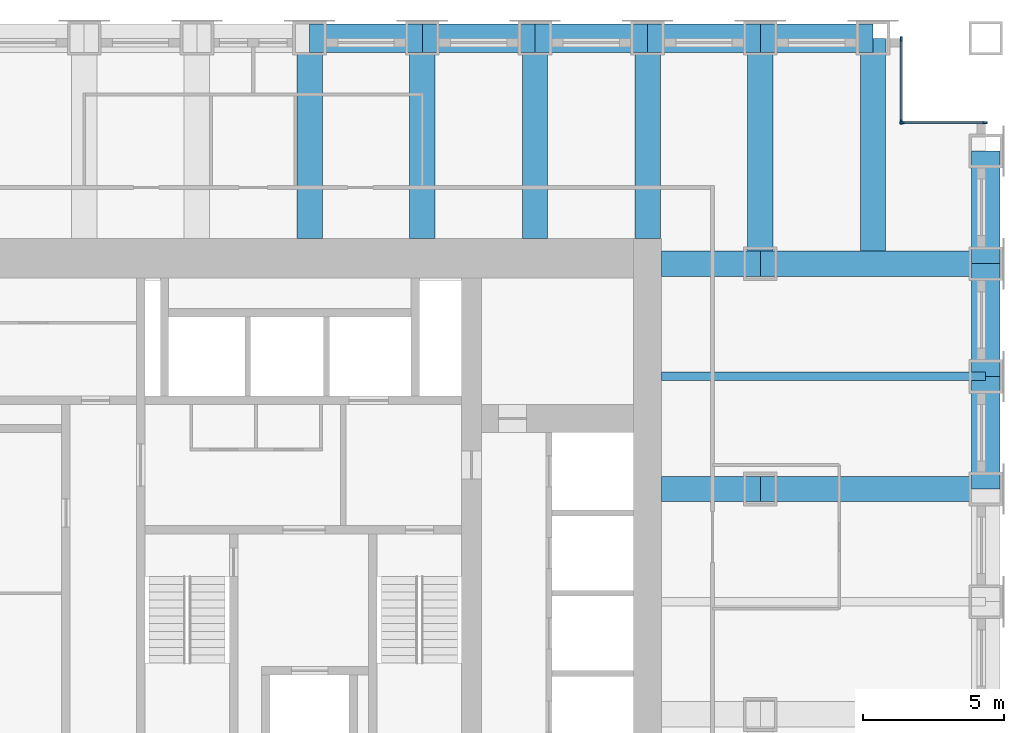
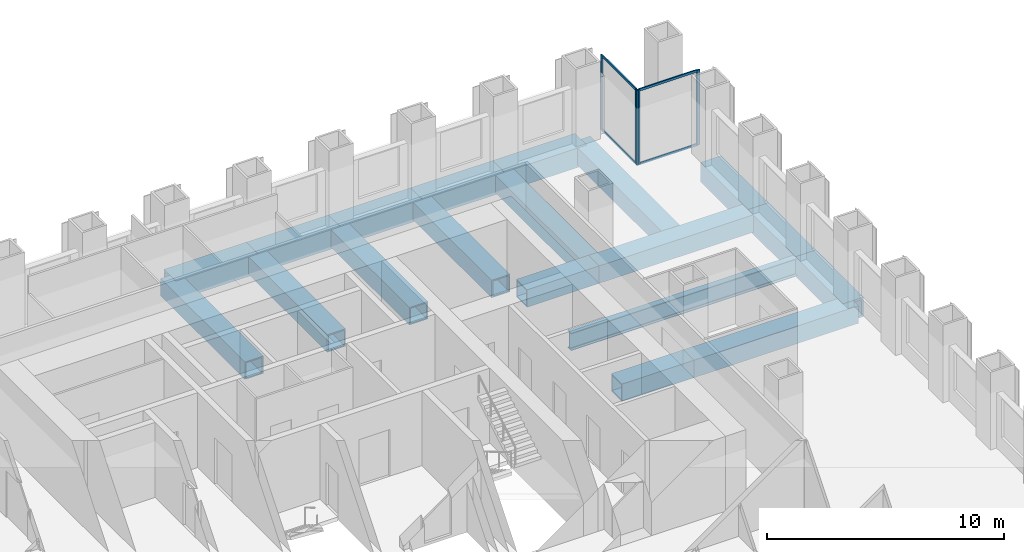
# One storey, part 7 of 15: 19 beams, 8 members, 2 elements without a shape of their own.
"""IFC4 building model written with IfcOpenShell, lengths in metres."""

from ifc_helpers import new_model, si_unit, direction, frame, origin, origin_2d, place, context, subcontext, project, spatial, rectangle, hollow_rectangle, i_section, extrude, material, material_profile, profile_set, type_object, element, aggregate, save


model = new_model("IFC4")

# Units and contexts
model_context = context("Model", 3, precision=1e-05, world=origin(), true_north=direction((0.0, 1.0)))
body_context = subcontext(model_context, "Body", "Model", "MODEL_VIEW")
ifc_project = project(units=[si_unit("LENGTHUNIT", "METRE"), si_unit("AREAUNIT", "SQUARE_METRE"), si_unit("VOLUMEUNIT", "CUBIC_METRE"), si_unit("PLANEANGLEUNIT", "RADIAN"), si_unit("MASSUNIT", "GRAM", prefix="KILO")], contexts=[model_context])

# Site, building, storey
site_placement = place(None, origin())
site = spatial("IfcSite", under=ifc_project, at=site_placement, CompositionType="ELEMENT")
building_placement = place(site_placement, origin())
building = spatial("IfcBuilding", under=site, at=building_placement, Name="Rimbunsela Tower", CompositionType="ELEMENT")
storey_placement = place(building_placement, frame((0.0, 0.0, 35.0)))
storey = spatial("IfcBuildingStorey", under=building, at=storey_placement, Name="L08", CompositionType="ELEMENT", Elevation=35.0)

# Beams
ifc_material_1 = material(Name="Steel BJ 55 (fy 410 MPa)", Category="steel")
ifc_material_profile_1 = material_profile(ifc_material_1, hollow_rectangle(XDim=1.0, YDim=1.0, WallThickness=0.10009765625, at=origin_2d()), Name="BOX 1000x1000x100")
ifc_profile_set_1 = profile_set([ifc_material_profile_1], Name="Steel BJ 55 (fy 410 MPa)")
beam_type_1 = type_object("IfcBeamType", Name="Beam BOX 1000x1000x100", PredefinedType="BEAM", material=ifc_profile_set_1)
for number, where, z_axis, x_axis, name in (
    (1, (30.0, 44.0, -0.64990234375), (1.0, 0.0, 0.0), (0.0, 1.0, 0.0), "Beam B3 L08"),
    (2, (34.0, 44.0, -0.64990234375), (1.0, 0.0, 0.0), (0.0, 1.0, 0.0), "Beam B3 L08"),
    (3, (38.0, 44.0, -0.64990234375), (1.0, 0.0, 0.0), (0.0, 1.0, 0.0), "Beam B3 L08"),
    (4, (42.0, 44.0, -0.64990234375), (1.0, 0.0, 0.0), (0.0, 1.0, 0.0), "Beam B3 L08"),
    (5, (46.0, 44.0, -0.64990234375), (1.0, 0.0, 0.0), (0.0, 1.0, 0.0), "Beam B3 L08"),
    (6, (54.0, 28.0, -0.64990234375), (0.0, 1.0, 0.0), (-1.0, 0.0, 0.0), "Beam B3 L08"),
    (7, (54.0, 32.0, -0.64990234375), (0.0, 1.0, 0.0), (-1.0, 0.0, 0.0), "Beam B3 L08"),
    (8, (54.0, 36.0, -0.64990234375), (0.0, 1.0, 0.0), (-1.0, 0.0, 0.0), "Beam B3 L08"),
):
    element("IfcBeam", number, at=place(storey_placement, frame(where, z_axis=z_axis, x_axis=x_axis)), inside=storey, type_object=beam_type_1, Name=name, PredefinedType="BEAM", context=body_context, shape_type="SweptSolid", body=[
        extrude(hollow_rectangle(XDim=1.0, YDim=1.0, WallThickness=0.10009765625, at=origin_2d()), origin(), (0.0, 0.0, 1.0), 4.0),
    ])
ifc_material_2 = material(Name="Steel BJ 55 (fy 410 MPa)", Category="steel")
ifc_material_profile_2 = material_profile(ifc_material_2, hollow_rectangle(XDim=0.89990234375, YDim=0.89990234375, WallThickness=0.06005859375, at=origin_2d()), Name="BOX 900x900x60")
ifc_profile_set_2 = profile_set([ifc_material_profile_2], Name="Steel BJ 55 (fy 410 MPa)")
beam_type_2 = type_object("IfcBeamType", Name="Beam BOX 900x900x60", PredefinedType="BEAM", material=ifc_profile_set_2)
for number, where, z_axis, x_axis, name in (
    (9, (30.0, 36.89990234375, -0.60009765625), (0.0, 1.0, 0.0), (-1.0, 0.0, 0.0), "Beam B1 L08"),
    (10, (34.0, 36.89990234375, -0.60009765625), (0.0, 1.0, 0.0), (-1.0, 0.0, 0.0), "Beam B1 L08"),
    (11, (38.0, 36.89990234375, -0.60009765625), (0.0, 1.0, 0.0), (-1.0, 0.0, 0.0), "Beam B1 L08"),
    (12, (42.0, 36.89990234375, -0.60009765625), (0.0, 1.0, 0.0), (-1.0, 0.0, 0.0), "Beam B1 L08"),
):
    element("IfcBeam", number, at=place(storey_placement, frame(where, z_axis=z_axis, x_axis=x_axis)), inside=storey, type_object=beam_type_2, Name=name, PredefinedType="BEAM", context=body_context, shape_type="SweptSolid", body=[
        extrude(hollow_rectangle(XDim=0.89990234375, YDim=0.89990234375, WallThickness=0.06005859375, at=origin_2d()), origin(), (0.0, 0.0, 1.0), 7.10009765625),
    ])
for number, where, z_axis, x_axis, name in (
    (13, (42.5, 28.0, -0.60009765625), (1.0, 0.0, 0.0), (0.0, 1.0, 0.0), "Beam B1 L08"),
    (14, (42.5, 36.0, -0.60009765625), (1.0, 0.0, 0.0), (0.0, 1.0, 0.0), "Beam B1 L08"),
):
    element("IfcBeam", number, at=place(storey_placement, frame(where, z_axis=z_axis, x_axis=x_axis)), inside=storey, type_object=beam_type_2, Name=name, PredefinedType="BEAM", context=body_context, shape_type="SweptSolid", body=[
        extrude(hollow_rectangle(XDim=0.89990234375, YDim=0.89990234375, WallThickness=0.06005859375, at=origin_2d()), origin(), (0.0, 0.0, 1.0), 3.5),
    ])
for number, where, z_axis, x_axis, name in (
    (15, (46.0, 28.0, -0.60009765625), (1.0, 0.0, 0.0), (0.0, 1.0, 0.0), "Beam B1 L08"),
    (16, (46.0, 36.0, -0.60009765625), (0.0, 1.0, 0.0), (-1.0, 0.0, 0.0), "Beam B1 L08"),
    (17, (46.0, 36.0, -0.60009765625), (1.0, 0.0, 0.0), (0.0, 1.0, 0.0), "Beam B1 L08"),
):
    element("IfcBeam", number, at=place(storey_placement, frame(where, z_axis=z_axis, x_axis=x_axis)), inside=storey, type_object=beam_type_2, Name=name, PredefinedType="BEAM", context=body_context, shape_type="SweptSolid", body=[
        extrude(hollow_rectangle(XDim=0.89990234375, YDim=0.89990234375, WallThickness=0.06005859375, at=origin_2d()), origin(), (0.0, 0.0, 1.0), 8.0),
    ])
beam_1_placement = place(storey_placement, frame((50.0, 36.449951171875, -0.60009765625), z_axis=(0.0, 1.0, 0.0), x_axis=(-1.0, 0.0, 0.0)))
element("IfcBeam", 18, at=beam_1_placement, inside=storey, type_object=beam_type_2, Name="Beam B1 L08", PredefinedType="BEAM", context=body_context, shape_type="SweptSolid", body=[
    extrude(hollow_rectangle(XDim=0.89990234375, YDim=0.89990234375, WallThickness=0.06005859375, at=origin_2d()), origin(), (0.0, 0.0, 1.0), 7.550048828125),
])
ifc_material_3 = material(Name="Steel BJ 55 (fy 410 MPa)", Category="steel")
ifc_material_profile_3 = material_profile(ifc_material_3, i_section(OverallWidth=0.300048828125, OverallDepth=0.89990234375, WebThickness=0.01611328125, FlangeThickness=0.028076171875, FilletRadius=0.028076171875, at=origin_2d()), Name="H 900x300x16x28")
ifc_profile_set_3 = profile_set([ifc_material_profile_3], Name="Steel BJ 55 (fy 410 MPa)")
beam_type_3 = type_object("IfcBeamType", Name="Beam H 900x300x16x28", PredefinedType="BEAM", material=ifc_profile_set_3)
beam_2_placement = place(storey_placement, frame((42.5, 32.0, -0.60009765625), z_axis=(1.0, 0.0, 0.0), x_axis=(0.0, 1.0, 0.0)))
element("IfcBeam", 19, at=beam_2_placement, inside=storey, type_object=beam_type_3, Name="Beam B2 L08", PredefinedType="BEAM", context=body_context, shape_type="SweptSolid", body=[
    extrude(i_section(OverallWidth=0.300048828125, OverallDepth=0.89990234375, WebThickness=0.01611328125, FlangeThickness=0.028076171875, FilletRadius=0.028076171875, at=origin_2d()), origin(), (0.0, 0.0, 1.0), 11.5),
])

# Curtain wall, members
ifc_material_4 = material(Name="Aluminium curtain wall", Category="aluminium")
curtain_wall_type = type_object("IfcCurtainWallType", Name="Corner glazing", PredefinedType="USERDEFINED", material=ifc_material_4)
curtain_wall_1_placement = place(storey_placement, origin())
curtain_wall_1 = element("IfcCurtainWall", 20, at=curtain_wall_1_placement, inside=storey, type_object=curtain_wall_type, Name="Corner glazing L08", ObjectType="CORNER GLAZING", PredefinedType="USERDEFINED")
ifc_material_5 = material(Name="Aluminium mullion", Category="aluminium")
ifc_material_profile_4 = material_profile(ifc_material_5, rectangle(XDim=0.06005859375, YDim=0.159912109375, at=origin_2d()), Name="Mullion 60x160")
ifc_profile_set_4 = profile_set([ifc_material_profile_4], Name="Aluminium mullion")
member_type_1 = type_object("IfcMemberType", Name="Curtain wall mullion 60x160", PredefinedType="MULLION", material=ifc_profile_set_4)
member_1_placement = place(storey_placement, frame((53.969970703125, 41.0, 0.0), z_axis=(0.0, 0.0, 1.0), x_axis=(0.0, -1.0, 0.0)))
member_1 = element("IfcMember", 21, at=member_1_placement, type_object=member_type_1, Name="CW5 mullion 1", PredefinedType="MULLION", context=body_context, shape_type="SweptSolid", body=[
    extrude(rectangle(XDim=0.06005859375, YDim=0.159912109375, at=origin_2d()), origin(), (0.0, 0.0, 1.0), 3.85009765625),
])
member_2_placement = place(storey_placement, frame((51.030029296875, 41.0, 0.0), z_axis=(0.0, 0.0, 1.0), x_axis=(0.0, -1.0, 0.0)))
member_2 = element("IfcMember", 22, at=member_2_placement, type_object=member_type_1, Name="CW5 mullion 2", PredefinedType="MULLION", context=body_context, shape_type="SweptSolid", body=[
    extrude(rectangle(XDim=0.06005859375, YDim=0.159912109375, at=origin_2d()), origin(), (0.0, 0.0, 1.0), 3.85009765625),
])

curtain_wall_2_placement = place(storey_placement, origin())
curtain_wall_2 = element("IfcCurtainWall", 23, at=curtain_wall_2_placement, inside=storey, type_object=curtain_wall_type, Name="Corner glazing L08", ObjectType="CORNER GLAZING", PredefinedType="USERDEFINED")
member_3_placement = place(storey_placement, frame((51.0, 41.030029296875, 0.0), z_axis=(0.0, 0.0, 1.0), x_axis=(-1.0, 0.0, 0.0)))
member_3 = element("IfcMember", 24, at=member_3_placement, type_object=member_type_1, Name="CW5 mullion 1", PredefinedType="MULLION", context=body_context, shape_type="SweptSolid", body=[
    extrude(rectangle(XDim=0.06005859375, YDim=0.159912109375, at=origin_2d()), origin(), (0.0, 0.0, 1.0), 3.85009765625),
])
member_4_placement = place(storey_placement, frame((51.0, 43.969970703125, 0.0), z_axis=(0.0, 0.0, 1.0), x_axis=(-1.0, 0.0, 0.0)))
member_4 = element("IfcMember", 25, at=member_4_placement, type_object=member_type_1, Name="CW5 mullion 2", PredefinedType="MULLION", context=body_context, shape_type="SweptSolid", body=[
    extrude(rectangle(XDim=0.06005859375, YDim=0.159912109375, at=origin_2d()), origin(), (0.0, 0.0, 1.0), 3.85009765625),
])

# Member
ifc_material_6 = material(Name="Aluminium transom", Category="aluminium")
ifc_material_profile_5 = material_profile(ifc_material_6, rectangle(XDim=0.06005859375, YDim=0.1201171875, at=origin_2d()), Name="Transom 60x120")
ifc_profile_set_5 = profile_set([ifc_material_profile_5], Name="Aluminium transom")
member_type_2 = type_object("IfcMemberType", Name="Curtain wall transom 60x120", PredefinedType="USERDEFINED", material=ifc_profile_set_5)
member_5_placement = place(storey_placement, frame((53.93994140625, 41.0, 0.030029296875), z_axis=(-1.0, 0.0, 0.0), x_axis=(0.0, -1.0, 0.0)))
member_5 = element("IfcMember", 26, at=member_5_placement, type_object=member_type_2, Name="CW5 transom 1.1", ObjectType="TRANSOM", PredefinedType="USERDEFINED", context=body_context, shape_type="SweptSolid", body=[
    extrude(rectangle(XDim=0.06005859375, YDim=0.1201171875, at=origin_2d()), origin(), (0.0, 0.0, 1.0), 2.8798828125),
])

member_6_placement = place(storey_placement, frame((53.93994140625, 41.0, 3.820068359375), z_axis=(-1.0, 0.0, 0.0), x_axis=(0.0, -1.0, 0.0)))
member_6 = element("IfcMember", 27, at=member_6_placement, type_object=member_type_2, Name="CW5 transom 1.2", ObjectType="TRANSOM", PredefinedType="USERDEFINED", context=body_context, shape_type="SweptSolid", body=[
    extrude(rectangle(XDim=0.06005859375, YDim=0.1201171875, at=origin_2d()), origin(), (0.0, 0.0, 1.0), 2.8798828125),
])

aggregate(curtain_wall_1, [member_1, member_2, member_5, member_6])

member_7_placement = place(storey_placement, frame((51.0, 41.06005859375, 0.030029296875), z_axis=(0.0, 1.0, 0.0), x_axis=(-1.0, 0.0, 0.0)))
member_7 = element("IfcMember", 28, at=member_7_placement, type_object=member_type_2, Name="CW5 transom 1.1", ObjectType="TRANSOM", PredefinedType="USERDEFINED", context=body_context, shape_type="SweptSolid", body=[
    extrude(rectangle(XDim=0.06005859375, YDim=0.1201171875, at=origin_2d()), origin(), (0.0, 0.0, 1.0), 2.8798828125),
])

member_8_placement = place(storey_placement, frame((51.0, 41.06005859375, 3.820068359375), z_axis=(0.0, 1.0, 0.0), x_axis=(-1.0, 0.0, 0.0)))
member_8 = element("IfcMember", 29, at=member_8_placement, type_object=member_type_2, Name="CW5 transom 1.2", ObjectType="TRANSOM", PredefinedType="USERDEFINED", context=body_context, shape_type="SweptSolid", body=[
    extrude(rectangle(XDim=0.06005859375, YDim=0.1201171875, at=origin_2d()), origin(), (0.0, 0.0, 1.0), 2.8798828125),
])

aggregate(curtain_wall_2, [member_3, member_4, member_7, member_8])

save(model, "model.ifc")
